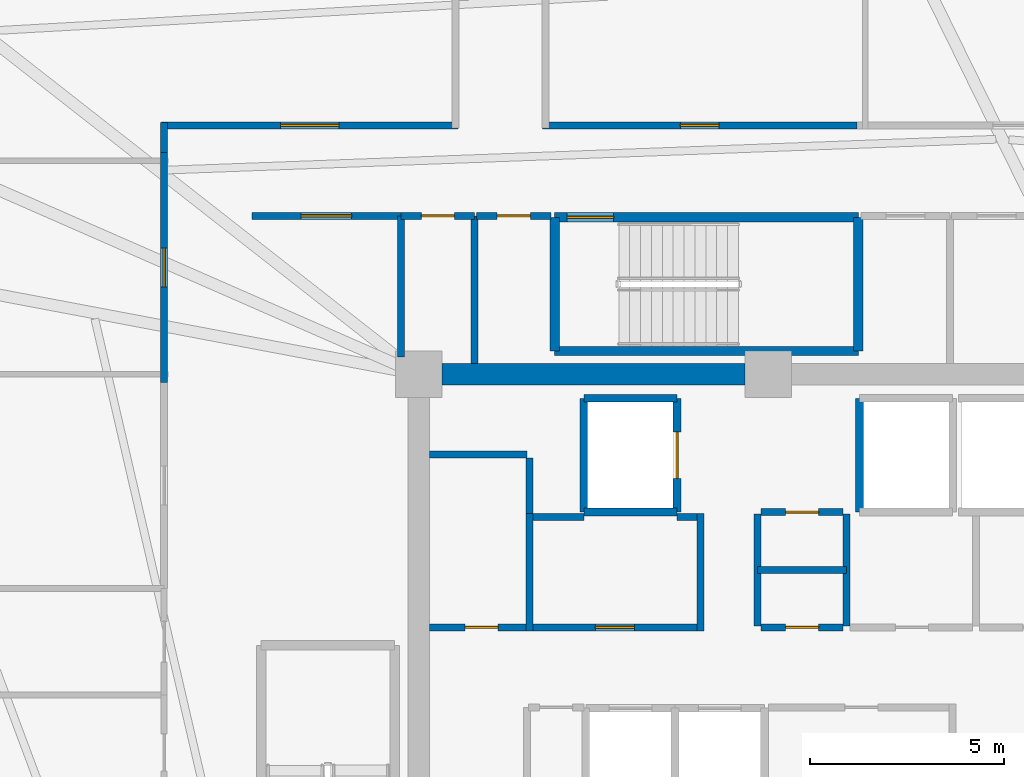
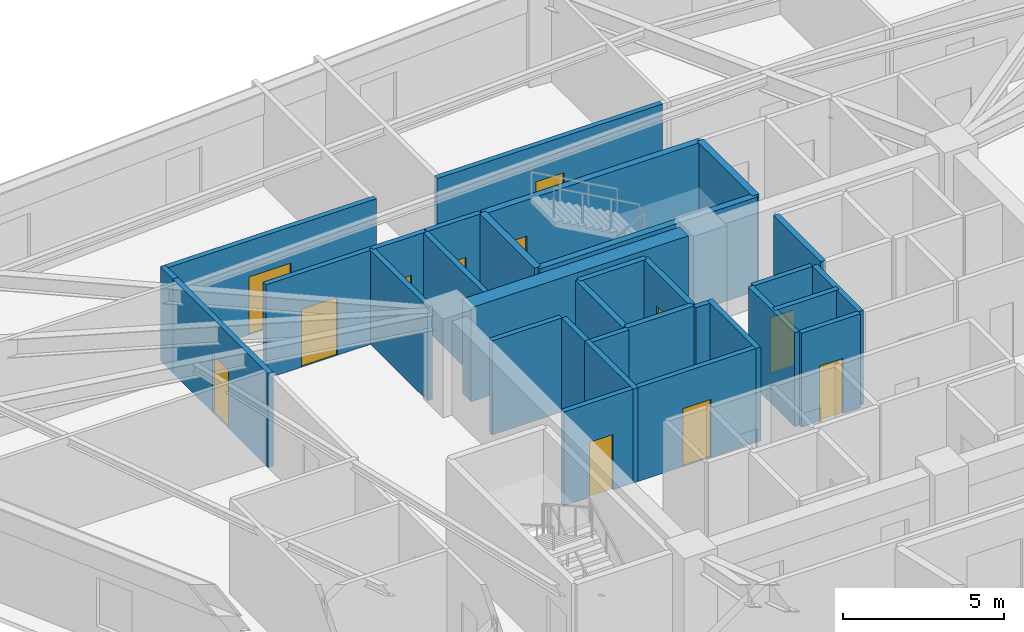
# One storey, part 5 of 8: 32 walls, 12 doors, 12 openings.
"""IFC4 building model written with IfcOpenShell, lengths in metres."""

from ifc_helpers import new_model, si_unit, direction, frame, frame_2d, origin, place, context, subcontext, project, spatial, rectangle, extrude, source, transform, mapped, material, layer, layer_set, type_object, element, fill, save


model = new_model("IFC4")

# Units and contexts
model_context = context("Model", 3, precision=1e-05, world=origin(), true_north=direction((0.0, 1.0)))
body_context = subcontext(model_context, "Body", "Model", "MODEL_VIEW")
ifc_project = project(units=[si_unit("LENGTHUNIT", "METRE"), si_unit("AREAUNIT", "SQUARE_METRE"), si_unit("VOLUMEUNIT", "CUBIC_METRE"), si_unit("PLANEANGLEUNIT", "RADIAN"), si_unit("MASSUNIT", "GRAM", prefix="KILO")], contexts=[model_context])

# Site, building, storey
site_placement = place(None, origin())
site = spatial("IfcSite", under=ifc_project, at=site_placement, CompositionType="ELEMENT")
building_placement = place(site_placement, origin())
building = spatial("IfcBuilding", under=site, at=building_placement, Name="Liaohun Quay Tower", CompositionType="ELEMENT")
storey_placement = place(building_placement, frame((0.0, 0.0, 336.0)))
storey = spatial("IfcBuildingStorey", under=building, at=storey_placement, Name="L87", CompositionType="ELEMENT", Elevation=336.0)

# Wall
ifc_material_1 = material(Name="Concrete C50", Category="concrete")
ifc_layer_1 = layer(ifc_material_1, 0.550048828125, Name="Concrete C50", Category="concrete")
ifc_layer_set_1 = layer_set([ifc_layer_1], Name="Concrete C50")
wall_type_1 = type_object("IfcWallType", Name="WAL-COR-Z4", PredefinedType="SHEAR", material=ifc_layer_set_1)
wall_1_placement = place(storey_placement, frame((51.60009765625, 61.5, 0.0), z_axis=(0.0, 0.0, 1.0), x_axis=(1.0, 0.0, 0.0)))
element("IfcWall", 1, at=wall_1_placement, inside=storey, type_object=wall_type_1, Name="L87 Central Core Shear Wall N-W", PredefinedType="SHEAR", context=body_context, shape_type="SweptSolid", body=[
    extrude(rectangle(XDim=7.7998046875, YDim=0.550048828125, at=frame_2d((3.89990234375, 0.0))), origin(), (0.0, 0.0, 1.0), 3.570068359375),
])

# Wall, opening, door
ifc_material_2 = material(Name="Autoclaved aerated concrete blockwork", Category="masonry")
ifc_layer_2 = layer(ifc_material_2, 0.179931640625, Name="Autoclaved aerated concrete blockwork", Category="masonry")
ifc_layer_set_2 = layer_set([ifc_layer_2], Name="Autoclaved aerated concrete blockwork")
wall_type_2 = type_object("IfcWallType", Name="WAL-PRT-COR", PredefinedType="PARTITIONING", material=ifc_layer_set_2)
wall_2_placement = place(storey_placement, frame((53.93994140625, 54.97998046875, 0.0), z_axis=(0.0, 0.0, 1.0), x_axis=(1.0, 0.0, 0.0)))
wall_2 = element("IfcWall", 2, at=wall_2_placement, inside=storey, type_object=wall_type_2, Name="L87 Interior Partition Wall 002", PredefinedType="PARTITIONING", context=body_context, shape_type="SweptSolid", body=[
    extrude(rectangle(XDim=4.219970703125, YDim=0.179931640625, at=frame_2d((2.10986328125, 0.0))), origin(), (0.0, 0.0, 1.0), 3.570068359375),
])
shared_shape_1 = source(origin(), body_context, "Body", "SweptSolid", [
    extrude(rectangle(XDim=1.0, YDim=2.199951171875, at=frame_2d((0.5, 1.10009765625))), frame((0.0, 0.099853515625, 0.0), z_axis=(0.0, -1.0, 0.0), x_axis=(1.0, 0.0, 0.0)), (0.0, 0.0, 1.0), 0.199951171875),
])
opening_1_placement = place(wall_2_placement, frame((1.610107421875, 0.0, 0.0)))
opening_1 = element("IfcOpeningElement", 3, at=opening_1_placement, cuts=wall_2, Name="Opening OD1", PredefinedType="OPENING", context=body_context, shape_type="MappedRepresentation", body=[
    mapped(shared_shape_1, transform((0.0, 0.0, 0.0), x_axis=(1.0, 0.0, 0.0), y_axis=(0.0, 1.0, 0.0), z_axis=(0.0, 0.0, 1.0), scale=1.0)),
])
ifc_material_3 = material(Name="Solid-core oak veneer timber leaf in steel frame", Category="steel")
door_type_1 = type_object("IfcDoorType", Name="DOR-OFF-1000", OperationType="NOTDEFINED", PredefinedType="DOOR", material=ifc_material_3)
shared_shape_2 = source(origin(), body_context, "Body", "SweptSolid", [
    extrude(rectangle(XDim=1.0, YDim=2.199951171875, at=frame_2d((0.5, 1.10009765625))), frame((0.0, 0.02490234375, 0.0), z_axis=(0.0, -1.0, 0.0), x_axis=(1.0, 0.0, 0.0)), (0.0, 0.0, 1.0), 0.050048828125),
])
door_1_placement = place(opening_1_placement, origin())
door_1 = element("IfcDoor", 4, at=door_1_placement, inside=storey, type_object=door_type_1, Name="L87 Core Staff Pantry and Tea Room Door", OperationType="SINGLE_SWING_RIGHT", OverallHeight=2.199951171875, OverallWidth=1.0, PredefinedType="DOOR", context=body_context, shape_type="MappedRepresentation", body=[
    mapped(shared_shape_2, transform((0.0, 0.0, 0.0), x_axis=(1.0, 0.0, 0.0), y_axis=(0.0, 1.0, 0.0), z_axis=(0.0, 0.0, 1.0), scale=1.0)),
])
fill(opening_1, door_1)

wall_3_placement = place(storey_placement, frame((51.27490234375, 54.97998046875, 0.0), z_axis=(0.0, 0.0, 1.0), x_axis=(1.0, 0.0, 0.0)))
wall_3 = element("IfcWall", 5, at=wall_3_placement, inside=storey, type_object=wall_type_2, Name="L87 Interior Partition Wall 003", PredefinedType="PARTITIONING", context=body_context, shape_type="SweptSolid", body=[
    extrude(rectangle(XDim=2.485107421875, YDim=0.179931640625, at=frame_2d((1.24267578125, 0.0))), origin(), (0.0, 0.0, 1.0), 3.570068359375),
])
shared_shape_3 = source(origin(), body_context, "Body", "SweptSolid", [
    extrude(rectangle(XDim=0.85009765625, YDim=2.10009765625, at=frame_2d((0.425048828125, 1.050048828125))), frame((0.0, 0.099853515625, 0.0), z_axis=(0.0, -1.0, 0.0), x_axis=(1.0, 0.0, 0.0)), (0.0, 0.0, 1.0), 0.199951171875),
])
opening_2_placement = place(wall_3_placement, frame((0.9150390625, 0.0, 0.0)))
opening_2 = element("IfcOpeningElement", 6, at=opening_2_placement, cuts=wall_3, Name="Opening AD1", PredefinedType="OPENING", context=body_context, shape_type="MappedRepresentation", body=[
    mapped(shared_shape_3, transform((0.0, 0.0, 0.0), x_axis=(1.0, 0.0, 0.0), y_axis=(0.0, 1.0, 0.0), z_axis=(0.0, 0.0, 1.0), scale=1.0)),
])
ifc_material_4 = material(Name="Steel riser inspection fire door", Category="steel")
door_type_2 = type_object("IfcDoorType", Name="DOR-SHF-850", OperationType="NOTDEFINED", PredefinedType="DOOR", material=ifc_material_4)
shared_shape_4 = source(origin(), body_context, "Body", "SweptSolid", [
    extrude(rectangle(XDim=0.85009765625, YDim=2.10009765625, at=frame_2d((0.425048828125, 1.050048828125))), frame((0.0, 0.02490234375, 0.0), z_axis=(0.0, -1.0, 0.0), x_axis=(1.0, 0.0, 0.0)), (0.0, 0.0, 1.0), 0.050048828125),
])
door_2_placement = place(opening_2_placement, origin())
door_2 = element("IfcDoor", 7, at=door_2_placement, inside=storey, type_object=door_type_2, Name="L87 Core High-Zone Archive and Riser Store Door", OperationType="SINGLE_SWING_LEFT", OverallHeight=2.10009765625, OverallWidth=0.85009765625, PredefinedType="DOOR", context=body_context, shape_type="MappedRepresentation", body=[
    mapped(shared_shape_4, transform((0.0, 0.0, 0.0), x_axis=(1.0, 0.0, 0.0), y_axis=(0.0, 1.0, 0.0), z_axis=(0.0, 0.0, 1.0), scale=1.0)),
])
fill(opening_2, door_2)

wall_4_placement = place(storey_placement, frame((59.81005859375, 54.97998046875, 0.0), z_axis=(0.0, 0.0, 1.0), x_axis=(1.0, 0.0, 0.0)))
wall_4 = element("IfcWall", 8, at=wall_4_placement, inside=storey, type_object=wall_type_2, Name="L87 Interior Partition Wall 006", PredefinedType="PARTITIONING", context=body_context, shape_type="SweptSolid", body=[
    extrude(rectangle(XDim=2.10986328125, YDim=0.179931640625, at=frame_2d((1.054931640625, 0.0))), origin(), (0.0, 0.0, 1.0), 3.570068359375),
])
opening_3_placement = place(wall_4_placement, frame((0.635009765625, 0.0, 0.0)))
opening_3 = element("IfcOpeningElement", 9, at=opening_3_placement, cuts=wall_4, Name="Opening AD1", PredefinedType="OPENING", context=body_context, shape_type="MappedRepresentation", body=[
    mapped(shared_shape_3, transform((0.0, 0.0, 0.0), x_axis=(1.0, 0.0, 0.0), y_axis=(0.0, 1.0, 0.0), z_axis=(0.0, 0.0, 1.0), scale=1.0)),
])
door_3_placement = place(opening_3_placement, origin())
door_3 = element("IfcDoor", 10, at=door_3_placement, inside=storey, type_object=door_type_2, Name="L87 Electrical Riser Room Door", OperationType="SINGLE_SWING_RIGHT", OverallHeight=2.10009765625, OverallWidth=0.85009765625, PredefinedType="DOOR", context=body_context, shape_type="MappedRepresentation", body=[
    mapped(shared_shape_4, transform((0.0, 0.0, 0.0), x_axis=(1.0, 0.0, 0.0), y_axis=(0.0, 1.0, 0.0), z_axis=(0.0, 0.0, 1.0), scale=1.0)),
])
fill(opening_3, door_3)

wall_5_placement = place(storey_placement, frame((59.81005859375, 57.949951171875, 0.0), z_axis=(0.0, 0.0, 1.0), x_axis=(1.0, 0.0, 0.0)))
wall_5 = element("IfcWall", 11, at=wall_5_placement, inside=storey, type_object=wall_type_2, Name="L87 Interior Partition Wall 007", PredefinedType="PARTITIONING", context=body_context, shape_type="SweptSolid", body=[
    extrude(rectangle(XDim=2.10986328125, YDim=0.179931640625, at=frame_2d((1.054931640625, 0.0))), origin(), (0.0, 0.0, 1.0), 3.570068359375),
])
opening_4_placement = place(wall_5_placement, frame((0.635009765625, 0.0, 0.0)))
opening_4 = element("IfcOpeningElement", 12, at=opening_4_placement, cuts=wall_5, Name="Opening AD1", PredefinedType="OPENING", context=body_context, shape_type="MappedRepresentation", body=[
    mapped(shared_shape_3, transform((0.0, 0.0, 0.0), x_axis=(1.0, 0.0, 0.0), y_axis=(0.0, 1.0, 0.0), z_axis=(0.0, 0.0, 1.0), scale=1.0)),
])
door_4_placement = place(opening_4_placement, origin())
door_4 = element("IfcDoor", 13, at=door_4_placement, inside=storey, type_object=door_type_2, Name="L87 Telecom Comms Closet Door", OperationType="SINGLE_SWING_LEFT", OverallHeight=2.10009765625, OverallWidth=0.85009765625, PredefinedType="DOOR", context=body_context, shape_type="MappedRepresentation", body=[
    mapped(shared_shape_4, transform((0.0, 0.0, 0.0), x_axis=(1.0, 0.0, 0.0), y_axis=(0.0, 1.0, 0.0), z_axis=(0.0, 0.0, 1.0), scale=1.0)),
])
fill(opening_4, door_4)

wall_6_placement = place(storey_placement, frame((50.5400390625, 65.580078125, 0.0), z_axis=(0.0, 0.0, 1.0), x_axis=(1.0, 0.0, 0.0)))
wall_6 = element("IfcWall", 14, at=wall_6_placement, inside=storey, type_object=wall_type_2, Name="L87 Interior Partition Wall 012", PredefinedType="PARTITIONING", context=body_context, shape_type="SweptSolid", body=[
    extrude(rectangle(XDim=1.89990234375, YDim=0.179931640625, at=frame_2d((0.949951171875, 0.0))), origin(), (0.0, 0.0, 1.0), 3.570068359375),
])
opening_5_placement = place(wall_6_placement, frame((0.52490234375, 0.0, 0.0)))
opening_5 = element("IfcOpeningElement", 15, at=opening_5_placement, cuts=wall_6, Name="Opening AD1", PredefinedType="OPENING", context=body_context, shape_type="MappedRepresentation", body=[
    mapped(shared_shape_3, transform((0.0, 0.0, 0.0), x_axis=(1.0, 0.0, 0.0), y_axis=(0.0, 1.0, 0.0), z_axis=(0.0, 0.0, 1.0), scale=1.0)),
])
door_5_placement = place(opening_5_placement, origin())
door_5 = element("IfcDoor", 16, at=door_5_placement, inside=storey, type_object=door_type_2, Name="L87 North-West Riser Closet Door", OperationType="SINGLE_SWING_RIGHT", OverallHeight=2.10009765625, OverallWidth=0.85009765625, PredefinedType="DOOR", context=body_context, shape_type="MappedRepresentation", body=[
    mapped(shared_shape_4, transform((0.0, 0.0, 0.0), x_axis=(1.0, 0.0, 0.0), y_axis=(0.0, 1.0, 0.0), z_axis=(0.0, 0.0, 1.0), scale=1.0)),
])
fill(opening_5, door_5)

wall_7_placement = place(storey_placement, frame((52.47998046875, 65.580078125, 0.0), z_axis=(0.0, 0.0, 1.0), x_axis=(1.0, 0.0, 0.0)))
wall_7 = element("IfcWall", 17, at=wall_7_placement, inside=storey, type_object=wall_type_2, Name="L87 Interior Partition Wall 013", PredefinedType="PARTITIONING", context=body_context, shape_type="SweptSolid", body=[
    extrude(rectangle(XDim=1.929931640625, YDim=0.179931640625, at=frame_2d((0.96484375, 0.0))), origin(), (0.0, 0.0, 1.0), 3.570068359375),
])
opening_6_placement = place(wall_7_placement, frame((0.5400390625, 0.0, 0.0)))
opening_6 = element("IfcOpeningElement", 18, at=opening_6_placement, cuts=wall_7, Name="Opening AD1", PredefinedType="OPENING", context=body_context, shape_type="MappedRepresentation", body=[
    mapped(shared_shape_3, transform((0.0, 0.0, 0.0), x_axis=(1.0, 0.0, 0.0), y_axis=(0.0, 1.0, 0.0), z_axis=(0.0, 0.0, 1.0), scale=1.0)),
])
door_6_placement = place(opening_6_placement, origin())
door_6 = element("IfcDoor", 19, at=door_6_placement, inside=storey, type_object=door_type_2, Name="L87 North-West Print Closet Door", OperationType="SINGLE_SWING_LEFT", OverallHeight=2.10009765625, OverallWidth=0.85009765625, PredefinedType="DOOR", context=body_context, shape_type="MappedRepresentation", body=[
    mapped(shared_shape_4, transform((0.0, 0.0, 0.0), x_axis=(1.0, 0.0, 0.0), y_axis=(0.0, 1.0, 0.0), z_axis=(0.0, 0.0, 1.0), scale=1.0)),
])
fill(opening_6, door_6)

wall_8_placement = place(storey_placement, frame((46.699951171875, 65.580078125, 0.0), z_axis=(0.0, 0.0, 1.0), x_axis=(1.0, 0.0, 0.0)))
wall_8 = element("IfcWall", 20, at=wall_8_placement, inside=storey, type_object=wall_type_2, Name="L87 Interior Partition Wall 017", PredefinedType="PARTITIONING", context=body_context, shape_type="SweptSolid", body=[
    extrude(rectangle(XDim=3.840087890625, YDim=0.179931640625, at=frame_2d((1.919921875, 0.0))), origin(), (0.0, 0.0, 1.0), 3.570068359375),
])
shared_shape_5 = source(origin(), body_context, "Body", "SweptSolid", [
    extrude(rectangle(XDim=1.300048828125, YDim=2.199951171875, at=frame_2d((0.64990234375, 1.10009765625))), frame((0.0, 0.099853515625, 0.0), z_axis=(0.0, -1.0, 0.0), x_axis=(1.0, 0.0, 0.0)), (0.0, 0.0, 1.0), 0.199951171875),
])
opening_7_placement = place(wall_8_placement, frame((1.27001953125, 0.0, 0.0)))
opening_7 = element("IfcOpeningElement", 21, at=opening_7_placement, cuts=wall_8, Name="Opening FD1", PredefinedType="OPENING", context=body_context, shape_type="MappedRepresentation", body=[
    mapped(shared_shape_5, transform((0.0, 0.0, 0.0), x_axis=(1.0, 0.0, 0.0), y_axis=(0.0, 1.0, 0.0), z_axis=(0.0, 0.0, 1.0), scale=1.0)),
])
ifc_material_5 = material(Name="Galvanised steel smokeproof fire door", Category="steel")
door_type_3 = type_object("IfcDoorType", Name="DOR-FFL-1300", OperationType="NOTDEFINED", PredefinedType="DOOR", material=ifc_material_5)
shared_shape_6 = source(origin(), body_context, "Body", "SweptSolid", [
    extrude(rectangle(XDim=1.300048828125, YDim=2.199951171875, at=frame_2d((0.64990234375, 1.10009765625))), frame((0.0, 0.02490234375, 0.0), z_axis=(0.0, -1.0, 0.0), x_axis=(1.0, 0.0, 0.0)), (0.0, 0.0, 1.0), 0.050048828125),
])
door_7_placement = place(opening_7_placement, origin())
door_7 = element("IfcDoor", 22, at=door_7_placement, inside=storey, type_object=door_type_3, Name="L87 West Core Vestibule Door", OperationType="SINGLE_SWING_LEFT", OverallHeight=2.199951171875, OverallWidth=1.300048828125, PredefinedType="DOOR", context=body_context, shape_type="MappedRepresentation", body=[
    mapped(shared_shape_6, transform((0.0, 0.0, 0.0), x_axis=(1.0, 0.0, 0.0), y_axis=(0.0, 1.0, 0.0), z_axis=(0.0, 0.0, 1.0), scale=1.0)),
])
fill(opening_7, door_7)

wall_9_placement = place(storey_placement, frame((54.18994140625, 67.909912109375, 0.0), z_axis=(0.0, 0.0, 1.0), x_axis=(1.0, 0.0, 0.0)))
wall_9 = element("IfcWall", 23, at=wall_9_placement, inside=storey, type_object=wall_type_2, Name="L87 Interior Partition Wall 022", PredefinedType="PARTITIONING", context=body_context, shape_type="SweptSolid", body=[
    extrude(rectangle(XDim=8.094970703125, YDim=0.179931640625, at=frame_2d((4.04736328125, 0.0))), origin(), (0.0, 0.0, 1.0), 3.570068359375),
])
opening_8_placement = place(wall_9_placement, frame((3.547119140625, 0.0, 0.0)))
opening_8 = element("IfcOpeningElement", 24, at=opening_8_placement, cuts=wall_9, Name="Opening OD1", PredefinedType="OPENING", context=body_context, shape_type="MappedRepresentation", body=[
    mapped(shared_shape_1, transform((0.0, 0.0, 0.0), x_axis=(1.0, 0.0, 0.0), y_axis=(0.0, 1.0, 0.0), z_axis=(0.0, 0.0, 1.0), scale=1.0)),
])
door_8_placement = place(opening_8_placement, origin())
door_8 = element("IfcDoor", 25, at=door_8_placement, inside=storey, type_object=door_type_1, Name="L87 Project Collaboration Studio 04 Door", OperationType="SINGLE_SWING_RIGHT", OverallHeight=2.199951171875, OverallWidth=1.0, PredefinedType="DOOR", context=body_context, shape_type="MappedRepresentation", body=[
    mapped(shared_shape_2, transform((0.0, 0.0, 0.0), x_axis=(1.0, 0.0, 0.0), y_axis=(0.0, 1.0, 0.0), z_axis=(0.0, 0.0, 1.0), scale=1.0)),
])
fill(opening_8, door_8)

wall_10_placement = place(storey_placement, frame((44.3701171875, 67.909912109375, 0.0), z_axis=(0.0, 0.0, 1.0), x_axis=(1.0, 0.0, 0.0)))
wall_10 = element("IfcWall", 26, at=wall_10_placement, inside=storey, type_object=wall_type_2, Name="L87 Interior Partition Wall 023", PredefinedType="PARTITIONING", context=body_context, shape_type="SweptSolid", body=[
    extrude(rectangle(XDim=7.639892578125, YDim=0.179931640625, at=frame_2d((3.81982421875, 0.0))), origin(), (0.0, 0.0, 1.0), 3.570068359375),
])
shared_shape_7 = source(origin(), body_context, "Body", "SweptSolid", [
    extrude(rectangle(XDim=1.5, YDim=2.199951171875, at=frame_2d((0.75, 1.10009765625))), frame((0.0, 0.099853515625, 0.0), z_axis=(0.0, -1.0, 0.0), x_axis=(1.0, 0.0, 0.0)), (0.0, 0.0, 1.0), 0.199951171875),
])
opening_9_placement = place(wall_10_placement, frame((3.070068359375, 0.0, 0.0)))
opening_9 = element("IfcOpeningElement", 27, at=opening_9_placement, cuts=wall_10, Name="Opening OD2", PredefinedType="OPENING", context=body_context, shape_type="MappedRepresentation", body=[
    mapped(shared_shape_7, transform((0.0, 0.0, 0.0), x_axis=(1.0, 0.0, 0.0), y_axis=(0.0, 1.0, 0.0), z_axis=(0.0, 0.0, 1.0), scale=1.0)),
])
ifc_material_6 = material(Name="Acoustic oak veneer double door")
door_type_4 = type_object("IfcDoorType", Name="DOR-OFF-1500", OperationType="DOUBLE_DOOR_SINGLE_SWING", PredefinedType="DOOR", material=ifc_material_6)
shared_shape_8 = source(origin(), body_context, "Body", "SweptSolid", [
    extrude(rectangle(XDim=1.5, YDim=2.199951171875, at=frame_2d((0.75, 1.10009765625))), frame((0.0, 0.02490234375, 0.0), z_axis=(0.0, -1.0, 0.0), x_axis=(1.0, 0.0, 0.0)), (0.0, 0.0, 1.0), 0.050048828125),
])
door_9_placement = place(opening_9_placement, origin())
door_9 = element("IfcDoor", 28, at=door_9_placement, inside=storey, type_object=door_type_4, Name="L87 Corporate Exhibition Gallery 05 Door", OperationType="DOUBLE_DOOR_SINGLE_SWING", OverallHeight=2.199951171875, OverallWidth=1.5, PredefinedType="DOOR", context=body_context, shape_type="MappedRepresentation", body=[
    mapped(shared_shape_8, transform((0.0, 0.0, 0.0), x_axis=(1.0, 0.0, 0.0), y_axis=(0.0, 1.0, 0.0), z_axis=(0.0, 0.0, 1.0), scale=1.0)),
])
fill(opening_9, door_9)

wall_11_placement = place(storey_placement, frame((44.43994140625, 61.284912109375, 0.0), z_axis=(0.0, 0.0, 1.0), x_axis=(0.0, 1.0, 0.0)))
wall_11 = element("IfcWall", 29, at=wall_11_placement, inside=storey, type_object=wall_type_2, Name="L87 Interior Partition Wall 024", PredefinedType="PARTITIONING", context=body_context, shape_type="SweptSolid", body=[
    extrude(rectangle(XDim=5.93017578125, YDim=0.179931640625, at=frame_2d((2.965087890625, 0.0))), origin(), (0.0, 0.0, 1.0), 3.570068359375),
])
opening_10_placement = place(wall_11_placement, frame((2.465087890625, 0.0, 0.0)))
opening_10 = element("IfcOpeningElement", 30, at=opening_10_placement, cuts=wall_11, Name="Opening OD1", PredefinedType="OPENING", context=body_context, shape_type="MappedRepresentation", body=[
    mapped(shared_shape_1, transform((0.0, 0.0, 0.0), x_axis=(1.0, 0.0, 0.0), y_axis=(0.0, 1.0, 0.0), z_axis=(0.0, 0.0, 1.0), scale=1.0)),
])
door_10_placement = place(opening_10_placement, origin())
door_10 = element("IfcDoor", 31, at=door_10_placement, inside=storey, type_object=door_type_1, Name="L87 Staff Tea Kitchen and Pantry 06 Door", OperationType="SINGLE_SWING_RIGHT", OverallHeight=2.199951171875, OverallWidth=1.0, PredefinedType="DOOR", context=body_context, shape_type="MappedRepresentation", body=[
    mapped(shared_shape_2, transform((0.0, 0.0, 0.0), x_axis=(1.0, 0.0, 0.0), y_axis=(0.0, 1.0, 0.0), z_axis=(0.0, 0.0, 1.0), scale=1.0)),
])
fill(opening_10, door_10)

# Walls
wall_12_placement = place(storey_placement, frame((51.27490234375, 59.429931640625, 0.0), z_axis=(0.0, 0.0, 1.0), x_axis=(1.0, 0.0, 0.0)))
element("IfcWall", 32, at=wall_12_placement, inside=storey, type_object=wall_type_2, Name="L87 Interior Partition Wall 028", PredefinedType="PARTITIONING", context=body_context, shape_type="SweptSolid", body=[
    extrude(rectangle(XDim=2.505126953125, YDim=0.179931640625, at=frame_2d((1.25244140625, 0.0))), origin(), (0.0, 0.0, 1.0), 3.570068359375),
])
for number, where, z_axis, x_axis, name in (
    (33, (59.719970703125, 55.02001953125, 0.0), (0.0, 0.0, 1.0), (0.0, 1.0, 0.0), "L87 Interior Partition Wall 030"),
    (34, (62.010009765625, 55.02001953125, 0.0), (0.0, 0.0, 1.0), (0.0, 1.0, 0.0), "L87 Interior Partition Wall 031"),
):
    element("IfcWall", number, at=place(storey_placement, frame(where, z_axis=z_axis, x_axis=x_axis)), inside=storey, type_object=wall_type_2, Name=name, PredefinedType="PARTITIONING", context=body_context, shape_type="SweptSolid", body=[
        extrude(rectangle(XDim=2.8798828125, YDim=0.179931640625, at=frame_2d((1.43994140625, 0.0))), origin(), (0.0, 0.0, 1.0), 3.570068359375),
    ])
wall_13_placement = place(storey_placement, frame((59.719970703125, 56.4599609375, 0.0), z_axis=(0.0, 0.0, 1.0), x_axis=(1.0, 0.0, 0.0)))
element("IfcWall", 35, at=wall_13_placement, inside=storey, type_object=wall_type_2, Name="L87 Interior Partition Wall 032", PredefinedType="PARTITIONING", context=body_context, shape_type="SweptSolid", body=[
    extrude(rectangle(XDim=2.2900390625, YDim=0.179931640625, at=frame_2d((1.14501953125, 0.0))), origin(), (0.0, 0.0, 1.0), 3.570068359375),
])
wall_14_placement = place(storey_placement, frame((50.5400390625, 61.949951171875, 0.0), z_axis=(0.0, 0.0, 1.0), x_axis=(0.0, 1.0, 0.0)))
element("IfcWall", 36, at=wall_14_placement, inside=storey, type_object=wall_type_2, Name="L87 Interior Partition Wall 040", PredefinedType="PARTITIONING", context=body_context, shape_type="SweptSolid", body=[
    extrude(rectangle(XDim=3.630126953125, YDim=0.179931640625, at=frame_2d((1.81494140625, 0.0))), origin(), (0.0, 0.0, 1.0), 3.570068359375),
])
wall_15_placement = place(storey_placement, frame((52.43994140625, 61.77490234375, 0.0), z_axis=(0.0, 0.0, 1.0), x_axis=(0.0, 1.0, 0.0)))
element("IfcWall", 37, at=wall_15_placement, inside=storey, type_object=wall_type_2, Name="L87 Interior Partition Wall 041", PredefinedType="PARTITIONING", context=body_context, shape_type="SweptSolid", body=[
    extrude(rectangle(XDim=3.80517578125, YDim=0.179931640625, at=frame_2d((1.902587890625, 0.0))), origin(), (0.0, 0.0, 1.0), 3.570068359375),
])
wall_16_placement = place(storey_placement, frame((44.43994140625, 67.215087890625, 0.0), z_axis=(0.0, 0.0, 1.0), x_axis=(0.0, 1.0, 0.0)))
element("IfcWall", 38, at=wall_16_placement, inside=storey, type_object=wall_type_2, Name="L87 Interior Partition Wall 049", PredefinedType="PARTITIONING", context=body_context, shape_type="SweptSolid", body=[
    extrude(rectangle(XDim=0.764892578125, YDim=0.179931640625, at=frame_2d((0.38232421875, 0.0))), origin(), (0.0, 0.0, 1.0), 3.570068359375),
])
for number, where, z_axis, x_axis, name in (
    (39, (53.85009765625, 54.889892578125, 0.0), (0.0, 0.0, 1.0), (0.0, 1.0, 0.0), "L87 Interior Partition Wall 063"),
    (40, (58.25, 54.889892578125, 0.0), (0.0, 0.0, 1.0), (0.0, 1.0, 0.0), "L87 Interior Partition Wall 064"),
):
    element("IfcWall", number, at=place(storey_placement, frame(where, z_axis=z_axis, x_axis=x_axis)), inside=storey, type_object=wall_type_2, Name=name, PredefinedType="PARTITIONING", context=body_context, shape_type="SweptSolid", body=[
        extrude(rectangle(XDim=3.02001953125, YDim=0.179931640625, at=frame_2d((1.510009765625, 0.0))), origin(), (0.0, 0.0, 1.0), 3.570068359375),
    ])
wall_17_placement = place(storey_placement, frame((53.93994140625, 57.820068359375, 0.0), z_axis=(0.0, 0.0, 1.0), x_axis=(1.0, 0.0, 0.0)))
element("IfcWall", 41, at=wall_17_placement, inside=storey, type_object=wall_type_2, Name="L87 Interior Partition Wall 065", PredefinedType="PARTITIONING", context=body_context, shape_type="SweptSolid", body=[
    extrude(rectangle(XDim=1.31005859375, YDim=0.179931640625, at=frame_2d((0.655029296875, 0.0))), origin(), (0.0, 0.0, 1.0), 3.570068359375),
])
wall_18_placement = place(storey_placement, frame((57.64990234375, 57.820068359375, 0.0), z_axis=(0.0, 0.0, 1.0), x_axis=(1.0, 0.0, 0.0)))
element("IfcWall", 42, at=wall_18_placement, inside=storey, type_object=wall_type_2, Name="L87 Interior Partition Wall 066", PredefinedType="PARTITIONING", context=body_context, shape_type="SweptSolid", body=[
    extrude(rectangle(XDim=0.510009765625, YDim=0.179931640625, at=frame_2d((0.2548828125, 0.0))), origin(), (0.0, 0.0, 1.0), 3.570068359375),
])
wall_19_placement = place(storey_placement, frame((53.85009765625, 57.909912109375, 0.0), z_axis=(0.0, 0.0, 1.0), x_axis=(0.0, 1.0, 0.0)))
element("IfcWall", 43, at=wall_19_placement, inside=storey, type_object=wall_type_2, Name="L87 Interior Partition Wall 067", PredefinedType="PARTITIONING", context=body_context, shape_type="SweptSolid", body=[
    extrude(rectangle(XDim=1.43017578125, YDim=0.179931640625, at=frame_2d((0.715087890625, 0.0))), origin(), (0.0, 0.0, 1.0), 3.570068359375),
])
ifc_layer_3 = layer(ifc_material_1, 0.239990234375, Name="Concrete C50", Category="concrete")
ifc_layer_set_3 = layer_set([ifc_layer_3], Name="Concrete C50")
wall_type_3 = type_object("IfcWallType", Name="WAL-SHF-200", PredefinedType="SOLIDWALL", material=ifc_layer_set_3)
wall_20_placement = place(storey_placement, frame((54.5, 62.10009765625, 0.0), z_axis=(0.0, 0.0, 1.0), x_axis=(1.0, 0.0, 0.0)))
element("IfcWall", 44, at=wall_20_placement, inside=storey, type_object=wall_type_3, Name="L87 Stairwell ST-3 Structural Core Wall S", PredefinedType="SOLIDWALL", context=body_context, shape_type="SweptSolid", body=[
    extrude(rectangle(XDim=7.820068359375, YDim=0.239990234375, at=frame_2d((3.91015625, 0.0))), origin(), (0.0, 0.0, 1.0), 3.570068359375),
])
wall_21_placement = place(storey_placement, frame((62.320068359375, 62.10009765625, 0.0), z_axis=(0.0, 0.0, 1.0), x_axis=(0.0, 1.0, 0.0)))
element("IfcWall", 45, at=wall_21_placement, inside=storey, type_object=wall_type_3, Name="L87 Stairwell ST-3 Structural Core Wall E", PredefinedType="SOLIDWALL", context=body_context, shape_type="SweptSolid", body=[
    extrude(rectangle(XDim=3.43994140625, YDim=0.239990234375, at=frame_2d((1.719970703125, 0.0))), origin(), (0.0, 0.0, 1.0), 3.570068359375),
])

# Wall, opening, door
wall_22_placement = place(storey_placement, frame((62.320068359375, 65.5400390625, 0.0), z_axis=(0.0, 0.0, 1.0), x_axis=(-1.0, 0.0, 0.0)))
wall_22 = element("IfcWall", 46, at=wall_22_placement, inside=storey, type_object=wall_type_3, Name="L87 Stairwell ST-3 Structural Core Wall N", PredefinedType="SOLIDWALL", context=body_context, shape_type="SweptSolid", body=[
    extrude(rectangle(XDim=7.820068359375, YDim=0.239990234375, at=frame_2d((3.91015625, 0.0))), origin(), (0.0, 0.0, 1.0), 3.570068359375),
])
shared_shape_9 = source(origin(), body_context, "Body", "SweptSolid", [
    extrude(rectangle(XDim=1.199951171875, YDim=2.199951171875, at=frame_2d((0.60009765625, 1.10009765625))), frame((0.0, 0.1298828125, 0.0), z_axis=(0.0, -1.0, 0.0), x_axis=(1.0, 0.0, 0.0)), (0.0, 0.0, 1.0), 0.260009765625),
])
opening_11_placement = place(wall_22_placement, frame((6.300048828125, 0.0, 0.0)))
opening_11 = element("IfcOpeningElement", 47, at=opening_11_placement, cuts=wall_22, Name="Opening SD1", PredefinedType="OPENING", context=body_context, shape_type="MappedRepresentation", body=[
    mapped(shared_shape_9, transform((0.0, 0.0, 0.0), x_axis=(1.0, 0.0, 0.0), y_axis=(0.0, 1.0, 0.0), z_axis=(0.0, 0.0, 1.0), scale=1.0)),
])
ifc_material_7 = material(Name="Galvanised steel fire door", Category="steel")
door_type_5 = type_object("IfcDoorType", Name="DOR-STR-1200", OperationType="NOTDEFINED", PredefinedType="DOOR", material=ifc_material_7)
shared_shape_10 = source(origin(), body_context, "Body", "SweptSolid", [
    extrude(rectangle(XDim=1.199951171875, YDim=2.199951171875, at=frame_2d((0.60009765625, 1.10009765625))), frame((0.0, 0.02490234375, 0.0), z_axis=(0.0, -1.0, 0.0), x_axis=(1.0, 0.0, 0.0)), (0.0, 0.0, 1.0), 0.050048828125),
])
door_11_placement = place(opening_11_placement, origin())
door_11 = element("IfcDoor", 48, at=door_11_placement, inside=storey, type_object=door_type_5, Name="L87 Protected Stair ST-3 Fire Door", OperationType="SINGLE_SWING_RIGHT", OverallHeight=2.199951171875, OverallWidth=1.199951171875, PredefinedType="DOOR", context=body_context, shape_type="MappedRepresentation", body=[
    mapped(shared_shape_10, transform((0.0, 0.0, 0.0), x_axis=(1.0, 0.0, 0.0), y_axis=(0.0, 1.0, 0.0), z_axis=(0.0, 0.0, 1.0), scale=1.0)),
])
fill(opening_11, door_11)

# Walls
wall_23_placement = place(storey_placement, frame((54.5, 65.5400390625, 0.0), z_axis=(0.0, 0.0, 1.0), x_axis=(0.0, -1.0, 0.0)))
element("IfcWall", 49, at=wall_23_placement, inside=storey, type_object=wall_type_3, Name="L87 Stairwell ST-3 Structural Core Wall W", PredefinedType="SOLIDWALL", context=body_context, shape_type="SweptSolid", body=[
    extrude(rectangle(XDim=3.43994140625, YDim=0.239990234375, at=frame_2d((1.719970703125, 0.0))), origin(), (0.0, 0.0, 1.0), 3.570068359375),
])
wall_24_placement = place(storey_placement, frame((55.25, 57.949951171875, 0.0), z_axis=(0.0, 0.0, 1.0), x_axis=(1.0, 0.0, 0.0)))
element("IfcWall", 50, at=wall_24_placement, inside=storey, type_object=wall_type_3, Name="L87 Lift FF-03 Hoistway Wall S", PredefinedType="SOLIDWALL", context=body_context, shape_type="SweptSolid", body=[
    extrude(rectangle(XDim=2.39990234375, YDim=0.199951171875, at=frame_2d((1.199951171875, 0.0))), origin(), (0.0, 0.0, 1.0), 3.570068359375),
])

# Wall, opening, door
wall_25_placement = place(storey_placement, frame((57.64990234375, 57.949951171875, 0.0), z_axis=(0.0, 0.0, 1.0), x_axis=(0.0, 1.0, 0.0)))
wall_25 = element("IfcWall", 51, at=wall_25_placement, inside=storey, type_object=wall_type_3, Name="L87 Lift FF-03 Hoistway Wall E", PredefinedType="SOLIDWALL", context=body_context, shape_type="SweptSolid", body=[
    extrude(rectangle(XDim=2.929931640625, YDim=0.199951171875, at=frame_2d((1.46484375, 0.0))), origin(), (0.0, 0.0, 1.0), 3.570068359375),
])
shared_shape_11 = source(origin(), body_context, "Body", "SweptSolid", [
    extrude(rectangle(XDim=1.199951171875, YDim=2.300048828125, at=frame_2d((0.60009765625, 1.14990234375))), frame((0.0, 0.10986328125, 0.0), z_axis=(0.0, -1.0, 0.0), x_axis=(1.0, 0.0, 0.0)), (0.0, 0.0, 1.0), 0.219970703125),
])
opening_12_placement = place(wall_25_placement, frame((0.864990234375, 0.0, 0.0)))
opening_12 = element("IfcOpeningElement", 52, at=opening_12_placement, cuts=wall_25, Name="Opening LD2", PredefinedType="OPENING", context=body_context, shape_type="MappedRepresentation", body=[
    mapped(shared_shape_11, transform((0.0, 0.0, 0.0), x_axis=(1.0, 0.0, 0.0), y_axis=(0.0, 1.0, 0.0), z_axis=(0.0, 0.0, 1.0), scale=1.0)),
])
ifc_material_8 = material(Name="Brushed stainless steel stretcher landing door", Category="steel")
door_type_6 = type_object("IfcDoorType", Name="DOR-LFT-1200", OperationType="SLIDING_TO_LEFT", PredefinedType="DOOR", material=ifc_material_8)
shared_shape_12 = source(origin(), body_context, "Body", "SweptSolid", [
    extrude(rectangle(XDim=1.199951171875, YDim=2.300048828125, at=frame_2d((0.60009765625, 1.14990234375))), frame((0.0, 0.02490234375, 0.0), z_axis=(0.0, -1.0, 0.0), x_axis=(1.0, 0.0, 0.0)), (0.0, 0.0, 1.0), 0.050048828125),
])
door_12_placement = place(opening_12_placement, origin())
door_12 = element("IfcDoor", 53, at=door_12_placement, inside=storey, type_object=door_type_6, Name="L87 Lift FF-03 Sliding Landing Door", OperationType="SLIDING_TO_LEFT", OverallHeight=2.300048828125, OverallWidth=1.199951171875, PredefinedType="DOOR", context=body_context, shape_type="MappedRepresentation", body=[
    mapped(shared_shape_12, transform((0.0, 0.0, 0.0), x_axis=(1.0, 0.0, 0.0), y_axis=(0.0, 1.0, 0.0), z_axis=(0.0, 0.0, 1.0), scale=1.0)),
])
fill(opening_12, door_12)

# Walls
wall_26_placement = place(storey_placement, frame((57.64990234375, 60.8798828125, 0.0), z_axis=(0.0, 0.0, 1.0), x_axis=(-1.0, 0.0, 0.0)))
element("IfcWall", 54, at=wall_26_placement, inside=storey, type_object=wall_type_3, Name="L87 Lift FF-03 Hoistway Wall N", PredefinedType="SOLIDWALL", context=body_context, shape_type="SweptSolid", body=[
    extrude(rectangle(XDim=2.39990234375, YDim=0.199951171875, at=frame_2d((1.199951171875, 0.0))), origin(), (0.0, 0.0, 1.0), 3.570068359375),
])
for number, where, z_axis, x_axis, name in (
    (55, (55.25, 60.8798828125, 0.0), (0.0, 0.0, 1.0), (0.0, -1.0, 0.0), "L87 Lift FF-03 Hoistway Wall W"),
    (56, (62.35009765625, 60.8798828125, 0.0), (0.0, 0.0, 1.0), (0.0, -1.0, 0.0), "L87 Lift OB-01 Hoistway Wall W"),
):
    element("IfcWall", number, at=place(storey_placement, frame(where, z_axis=z_axis, x_axis=x_axis)), inside=storey, type_object=wall_type_3, Name=name, PredefinedType="SOLIDWALL", context=body_context, shape_type="SweptSolid", body=[
        extrude(rectangle(XDim=2.929931640625, YDim=0.199951171875, at=frame_2d((1.46484375, 0.0))), origin(), (0.0, 0.0, 1.0), 3.570068359375),
    ])

save(model, "model.ifc")
